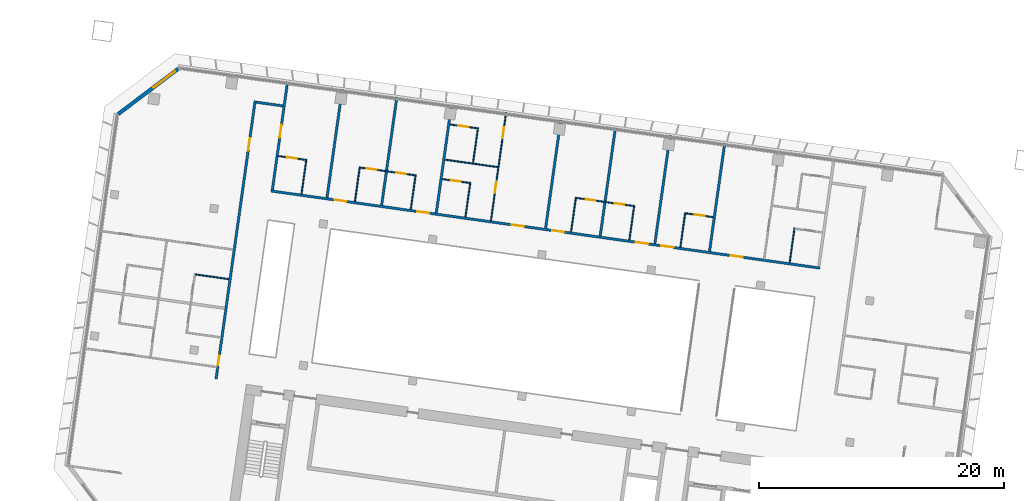
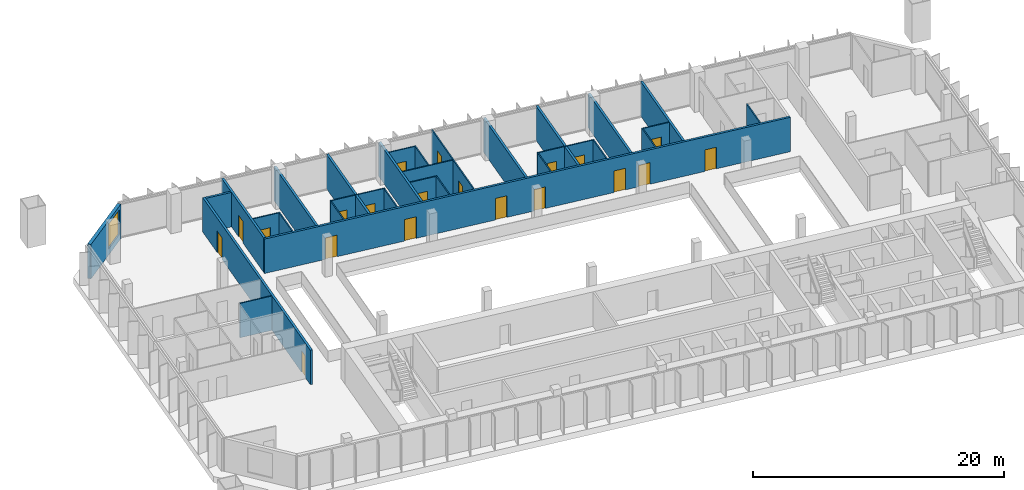
# One storey, part 16 of 25: 30 walls, 20 doors, 1 window, 21 openings.
"""IFC4 building model written with IfcOpenShell, lengths in metres."""

from ifc_helpers import new_model, si_unit, direction, frame, frame_2d, origin, place, context, subcontext, project, spatial, rectangle, extrude, material, layer, layer_set, type_object, element, fill, save


model = new_model("IFC4")

# Units and contexts
model_context = context("Model", 3, precision=1e-05, world=origin(), true_north=direction((0.0, 1.0)))
body_context = subcontext(model_context, "Body", "Model", "MODEL_VIEW")
ifc_project = project(units=[si_unit("LENGTHUNIT", "METRE"), si_unit("AREAUNIT", "SQUARE_METRE"), si_unit("VOLUMEUNIT", "CUBIC_METRE"), si_unit("PLANEANGLEUNIT", "RADIAN"), si_unit("MASSUNIT", "GRAM", prefix="KILO")], contexts=[model_context])

# Site, building, storey
site_placement = place(None, origin())
site = spatial("IfcSite", under=ifc_project, at=site_placement, CompositionType="ELEMENT")
building_placement = place(site_placement, origin())
building = spatial("IfcBuilding", under=site, at=building_placement, Name="Mirante Cascada Hotel Towers", CompositionType="ELEMENT")
storey_placement = place(building_placement, frame((0.0, 0.0, 102.5)))
storey = spatial("IfcBuildingStorey", under=building, at=storey_placement, Name="L22", CompositionType="ELEMENT", Elevation=102.5)

# Wall, openings, doors
ifc_material_1 = material(Name="Fire-rated plasterboard on metal studs")
ifc_layer_1 = layer(ifc_material_1, 0.2)
ifc_layer_set_1 = layer_set([ifc_layer_1], Name="Compartment wall 200 EI 120")
wall_type_1 = type_object("IfcWallType", Name="Compartment wall 200 EI 120", PredefinedType="PARTITIONING", material=ifc_layer_set_1)
wall_1_placement = place(storey_placement, frame((-86.638, 16.0582, 0.0), z_axis=(0.0, 0.0, 1.0), x_axis=(0.9902681, -0.1391726, 0.0)))
wall_1 = element("IfcWall", 1, at=wall_1_placement, inside=storey, type_object=wall_type_1, Name="Wall 1-L22-18", PredefinedType="PARTITIONING", context=body_context, shape_type="SweptSolid", body=[
    extrude(rectangle(XDim=45.2, YDim=0.2, at=frame_2d((22.6, 0.0))), origin(), (0.0, 0.0, 1.0), 3.35),
])
opening_1_placement = place(wall_1_placement, frame((37.85, 0.0, 0.0)))
opening_1 = element("IfcOpeningElement", 2, at=opening_1_placement, cuts=wall_1, Name="Opening D1-L22-09", PredefinedType="OPENING", context=body_context, shape_type="SweptSolid", body=[
    extrude(rectangle(XDim=1.0, YDim=2.1, at=frame_2d((0.5, 1.05))), frame((0.0, 0.1, 0.0), z_axis=(0.0, -1.0, 0.0), x_axis=(1.0, 0.0, 0.0)), (0.0, 0.0, 1.0), 0.2),
])
opening_2_placement = place(wall_1_placement, frame((32.15, 0.0, 0.0)))
opening_2 = element("IfcOpeningElement", 3, at=opening_2_placement, cuts=wall_1, Name="Opening D1-L22-10", PredefinedType="OPENING", context=body_context, shape_type="SweptSolid", body=[
    extrude(rectangle(XDim=1.0, YDim=2.1, at=frame_2d((0.5, 1.05))), frame((0.0, 0.1, 0.0), z_axis=(0.0, -1.0, 0.0), x_axis=(1.0, 0.0, 0.0)), (0.0, 0.0, 1.0), 0.2),
])
opening_3_placement = place(wall_1_placement, frame((30.05, 0.0, 0.0)))
opening_3 = element("IfcOpeningElement", 4, at=opening_3_placement, cuts=wall_1, Name="Opening D1-L22-11", PredefinedType="OPENING", context=body_context, shape_type="SweptSolid", body=[
    extrude(rectangle(XDim=1.0, YDim=2.1, at=frame_2d((0.5, 1.05))), frame((0.0, 0.1, 0.0), z_axis=(0.0, -1.0, 0.0), x_axis=(1.0, 0.0, 0.0)), (0.0, 0.0, 1.0), 0.2),
])
opening_4_placement = place(wall_1_placement, frame((23.15, 0.0, 0.0)))
opening_4 = element("IfcOpeningElement", 5, at=opening_4_placement, cuts=wall_1, Name="Opening D1-L22-12", PredefinedType="OPENING", context=body_context, shape_type="SweptSolid", body=[
    extrude(rectangle(XDim=1.0, YDim=2.1, at=frame_2d((0.5, 1.05))), frame((0.0, 0.1, 0.0), z_axis=(0.0, -1.0, 0.0), x_axis=(1.0, 0.0, 0.0)), (0.0, 0.0, 1.0), 0.2),
])
opening_5_placement = place(wall_1_placement, frame((19.85, 0.0, 0.0)))
opening_5 = element("IfcOpeningElement", 6, at=opening_5_placement, cuts=wall_1, Name="Opening D1-L22-13", PredefinedType="OPENING", context=body_context, shape_type="SweptSolid", body=[
    extrude(rectangle(XDim=1.0, YDim=2.1, at=frame_2d((0.5, 1.05))), frame((0.0, 0.1, 0.0), z_axis=(0.0, -1.0, 0.0), x_axis=(1.0, 0.0, 0.0)), (0.0, 0.0, 1.0), 0.2),
])
opening_6_placement = place(wall_1_placement, frame((12.05, 0.0, 0.0)))
opening_6 = element("IfcOpeningElement", 7, at=opening_6_placement, cuts=wall_1, Name="Opening D1-L22-14", PredefinedType="OPENING", context=body_context, shape_type="SweptSolid", body=[
    extrude(rectangle(XDim=1.0, YDim=2.1, at=frame_2d((0.5, 1.05))), frame((0.0, 0.1, 0.0), z_axis=(0.0, -1.0, 0.0), x_axis=(1.0, 0.0, 0.0)), (0.0, 0.0, 1.0), 0.2),
])
opening_7_placement = place(wall_1_placement, frame((5.25, 0.0, 0.0)))
opening_7 = element("IfcOpeningElement", 8, at=opening_7_placement, cuts=wall_1, Name="Opening D1-L22-15", PredefinedType="OPENING", context=body_context, shape_type="SweptSolid", body=[
    extrude(rectangle(XDim=1.0, YDim=2.1, at=frame_2d((0.5, 1.05))), frame((0.0, 0.1, 0.0), z_axis=(0.0, -1.0, 0.0), x_axis=(1.0, 0.0, 0.0)), (0.0, 0.0, 1.0), 0.2),
])
ifc_material_2 = material(Name="Fire-rated timber door leaf", Category="wood")
door_type_1 = type_object("IfcDoorType", Name="Entrance door DG1 1000x2100 EI 60", OperationType="SINGLE_SWING_LEFT", PredefinedType="DOOR", material=ifc_material_2)
door_1_placement = place(opening_1_placement, origin())
door_1 = element("IfcDoor", 9, at=door_1_placement, inside=storey, type_object=door_type_1, Name="Door D1-L22-09", OperationType="SINGLE_SWING_LEFT", OverallHeight=2.1, OverallWidth=1.0, PredefinedType="DOOR", context=body_context, shape_type="SweptSolid", body=[
    extrude(rectangle(XDim=1.0, YDim=2.1, at=frame_2d((0.5, 1.05))), frame((0.0, 0.025, 0.0), z_axis=(0.0, -1.0, 0.0), x_axis=(1.0, 0.0, 0.0)), (0.0, 0.0, 1.0), 0.05),
])
fill(opening_1, door_1)
door_2_placement = place(opening_2_placement, origin())
door_2 = element("IfcDoor", 10, at=door_2_placement, inside=storey, type_object=door_type_1, Name="Door D1-L22-10", OperationType="SINGLE_SWING_LEFT", OverallHeight=2.1, OverallWidth=1.0, PredefinedType="DOOR", context=body_context, shape_type="SweptSolid", body=[
    extrude(rectangle(XDim=1.0, YDim=2.1, at=frame_2d((0.5, 1.05))), frame((0.0, 0.025, 0.0), z_axis=(0.0, -1.0, 0.0), x_axis=(1.0, 0.0, 0.0)), (0.0, 0.0, 1.0), 0.05),
])
fill(opening_2, door_2)
door_3_placement = place(opening_3_placement, origin())
door_3 = element("IfcDoor", 11, at=door_3_placement, inside=storey, type_object=door_type_1, Name="Door D1-L22-11", OperationType="SINGLE_SWING_LEFT", OverallHeight=2.1, OverallWidth=1.0, PredefinedType="DOOR", context=body_context, shape_type="SweptSolid", body=[
    extrude(rectangle(XDim=1.0, YDim=2.1, at=frame_2d((0.5, 1.05))), frame((0.0, 0.025, 0.0), z_axis=(0.0, -1.0, 0.0), x_axis=(1.0, 0.0, 0.0)), (0.0, 0.0, 1.0), 0.05),
])
fill(opening_3, door_3)
door_4_placement = place(opening_4_placement, origin())
door_4 = element("IfcDoor", 12, at=door_4_placement, inside=storey, type_object=door_type_1, Name="Door D1-L22-12", OperationType="SINGLE_SWING_LEFT", OverallHeight=2.1, OverallWidth=1.0, PredefinedType="DOOR", context=body_context, shape_type="SweptSolid", body=[
    extrude(rectangle(XDim=1.0, YDim=2.1, at=frame_2d((0.5, 1.05))), frame((0.0, 0.025, 0.0), z_axis=(0.0, -1.0, 0.0), x_axis=(1.0, 0.0, 0.0)), (0.0, 0.0, 1.0), 0.05),
])
fill(opening_4, door_4)
door_5_placement = place(opening_5_placement, origin())
door_5 = element("IfcDoor", 13, at=door_5_placement, inside=storey, type_object=door_type_1, Name="Door D1-L22-13", OperationType="SINGLE_SWING_LEFT", OverallHeight=2.1, OverallWidth=1.0, PredefinedType="DOOR", context=body_context, shape_type="SweptSolid", body=[
    extrude(rectangle(XDim=1.0, YDim=2.1, at=frame_2d((0.5, 1.05))), frame((0.0, 0.025, 0.0), z_axis=(0.0, -1.0, 0.0), x_axis=(1.0, 0.0, 0.0)), (0.0, 0.0, 1.0), 0.05),
])
fill(opening_5, door_5)
door_6_placement = place(opening_6_placement, origin())
door_6 = element("IfcDoor", 14, at=door_6_placement, inside=storey, type_object=door_type_1, Name="Door D1-L22-14", OperationType="SINGLE_SWING_LEFT", OverallHeight=2.1, OverallWidth=1.0, PredefinedType="DOOR", context=body_context, shape_type="SweptSolid", body=[
    extrude(rectangle(XDim=1.0, YDim=2.1, at=frame_2d((0.5, 1.05))), frame((0.0, 0.025, 0.0), z_axis=(0.0, -1.0, 0.0), x_axis=(1.0, 0.0, 0.0)), (0.0, 0.0, 1.0), 0.05),
])
fill(opening_6, door_6)
door_7_placement = place(opening_7_placement, origin())
door_7 = element("IfcDoor", 15, at=door_7_placement, inside=storey, type_object=door_type_1, Name="Door D1-L22-15", OperationType="SINGLE_SWING_LEFT", OverallHeight=2.1, OverallWidth=1.0, PredefinedType="DOOR", context=body_context, shape_type="SweptSolid", body=[
    extrude(rectangle(XDim=1.0, YDim=2.1, at=frame_2d((0.5, 1.05))), frame((0.0, 0.025, 0.0), z_axis=(0.0, -1.0, 0.0), x_axis=(1.0, 0.0, 0.0)), (0.0, 0.0, 1.0), 0.05),
])
fill(opening_7, door_7)

# Walls
wall_2_placement = place(storey_placement, frame((-85.6638, 22.9901, 0.0), z_axis=(0.0, 0.0, 1.0), x_axis=(-0.990267, 0.139181, 0.0)))
element("IfcWall", 16, at=wall_2_placement, inside=storey, type_object=wall_type_1, Name="Wall 1-L22-29", PredefinedType="PARTITIONING", context=body_context, shape_type="SweptSolid", body=[
    extrude(rectangle(XDim=2.2, YDim=0.2, at=frame_2d((1.1, 0.0))), origin(), (0.0, 0.0, 1.0), 3.35),
])
for number, where, z_axis, x_axis, name in (
    (17, (-50.8754, 11.1331, 0.0), (0.0, 0.0, 1.0), (0.1391794, 0.9902672, 0.0), "Wall 1-L22-43"),
    (18, (-55.3316, 11.7594, 0.0), (0.0, 0.0, 1.0), (0.1391794, 0.9902672, 0.0), "Wall 1-L22-45"),
):
    element("IfcWall", number, at=place(storey_placement, frame(where, z_axis=z_axis, x_axis=x_axis)), inside=storey, type_object=wall_type_1, Name=name, PredefinedType="PARTITIONING", context=body_context, shape_type="SweptSolid", body=[
        extrude(rectangle(XDim=8.9, YDim=0.2, at=frame_2d((4.45, 0.0))), origin(), (0.0, 0.0, 1.0), 3.35),
    ])
wall_3_placement = place(storey_placement, frame((-59.7878, 12.3857, 0.0), z_axis=(0.0, 0.0, 1.0), x_axis=(0.13917, 0.9902685, 0.0)))
element("IfcWall", 19, at=wall_3_placement, inside=storey, type_object=wall_type_1, Name="Wall 1-L22-47", PredefinedType="PARTITIONING", context=body_context, shape_type="SweptSolid", body=[
    extrude(rectangle(XDim=8.8999, YDim=0.2, at=frame_2d((4.45, 0.0))), origin(), (0.0, 0.0, 1.0), 3.35),
])
for number, where, z_axis, x_axis, name in (
    (20, (-64.244, 13.0119, 0.0), (0.0, 0.0, 1.0), (0.1391684, 0.9902687, 0.0), "Wall 1-L22-49"),
    (21, (-73.1564, 14.2645, 0.0), (0.0, 0.0, 1.0), (0.1391684, 0.9902687, 0.0), "Wall 1-L22-53"),
    (22, (-77.6126, 14.8908, 0.0), (0.0, 0.0, 1.0), (0.1391684, 0.9902687, 0.0), "Wall 1-L22-55"),
):
    element("IfcWall", number, at=place(storey_placement, frame(where, z_axis=z_axis, x_axis=x_axis)), inside=storey, type_object=wall_type_1, Name=name, PredefinedType="PARTITIONING", context=body_context, shape_type="SweptSolid", body=[
        extrude(rectangle(XDim=8.9, YDim=0.2, at=frame_2d((4.45, 0.0))), origin(), (0.0, 0.0, 1.0), 3.35),
    ])
wall_4_placement = place(storey_placement, frame((-82.0688, 15.5171, 0.0), z_axis=(0.0, 0.0, 1.0), x_axis=(0.13917, 0.9902685, 0.0)))
element("IfcWall", 23, at=wall_4_placement, inside=storey, type_object=wall_type_1, Name="Wall 1-L22-57", PredefinedType="PARTITIONING", context=body_context, shape_type="SweptSolid", body=[
    extrude(rectangle(XDim=8.8999, YDim=0.2, at=frame_2d((4.45, 0.0))), origin(), (0.0, 0.0, 1.0), 3.35),
])

# Wall, opening, door
wall_5_placement = place(storey_placement, frame((-86.525, 16.1433, 0.0), z_axis=(0.0, 0.0, 1.0), x_axis=(0.1391684, 0.9902687, 0.0)))
wall_5 = element("IfcWall", 24, at=wall_5_placement, inside=storey, type_object=wall_type_1, Name="Wall 1-L22-59", PredefinedType="PARTITIONING", context=body_context, shape_type="SweptSolid", body=[
    extrude(rectangle(XDim=8.9, YDim=0.2, at=frame_2d((4.45, 0.0))), origin(), (0.0, 0.0, 1.0), 3.35),
])
opening_8_placement = place(wall_5_placement, frame((4.35, 0.0, 0.0)))
opening_8 = element("IfcOpeningElement", 25, at=opening_8_placement, cuts=wall_5, Name="Opening D1-L22-36", PredefinedType="OPENING", context=body_context, shape_type="SweptSolid", body=[
    extrude(rectangle(XDim=1.0, YDim=2.1, at=frame_2d((0.5, 1.05))), frame((0.0, 0.1, 0.0), z_axis=(0.0, -1.0, 0.0), x_axis=(1.0, 0.0, 0.0)), (0.0, 0.0, 1.0), 0.2),
])
door_8_placement = place(opening_8_placement, frame((1.0, 0.0, 0.0), z_axis=(0.0, 0.0, 1.0), x_axis=(-1.0, 0.0, 0.0)))
door_8 = element("IfcDoor", 26, at=door_8_placement, inside=storey, type_object=door_type_1, Name="Door D1-L22-36", OperationType="SINGLE_SWING_RIGHT", OverallHeight=2.1, OverallWidth=1.0, PredefinedType="DOOR", context=body_context, shape_type="SweptSolid", body=[
    extrude(rectangle(XDim=1.0, YDim=2.1, at=frame_2d((0.5, 1.05))), frame((0.0, 0.025, 0.0), z_axis=(0.0, -1.0, 0.0), x_axis=(1.0, 0.0, 0.0)), (0.0, 0.0, 1.0), 0.05),
])
fill(opening_8, door_8)

# Wall, openings, doors
wall_6_placement = place(storey_placement, frame((-87.9275, 23.4092, 0.0), z_axis=(0.0, 0.0, 1.0), x_axis=(-0.1391706, -0.9902684, 0.0)))
wall_6 = element("IfcWall", 27, at=wall_6_placement, inside=storey, type_object=wall_type_1, Name="Wall 1-L22-60", PredefinedType="PARTITIONING", context=body_context, shape_type="SweptSolid", body=[
    extrude(rectangle(XDim=22.9, YDim=0.2, at=frame_2d((11.45, 0.0))), origin(), (0.0, 0.0, 1.0), 3.35),
])
opening_9_placement = place(wall_6_placement, frame((20.9833, 0.0, 0.0)))
opening_9 = element("IfcOpeningElement", 28, at=opening_9_placement, cuts=wall_6, Name="Opening D1-L22-37", PredefinedType="OPENING", context=body_context, shape_type="SweptSolid", body=[
    extrude(rectangle(XDim=0.8, YDim=2.1, at=frame_2d((0.4, 1.05))), frame((0.0, 0.1, 0.0), z_axis=(0.0, -1.0, 0.0), x_axis=(1.0, 0.0, 0.0)), (0.0, 0.0, 1.0), 0.2),
])
opening_10_placement = place(wall_6_placement, frame((3.1, 0.0, 0.0)))
opening_10 = element("IfcOpeningElement", 29, at=opening_10_placement, cuts=wall_6, Name="Opening D1-L22-38", PredefinedType="OPENING", context=body_context, shape_type="SweptSolid", body=[
    extrude(rectangle(XDim=1.0, YDim=2.1, at=frame_2d((0.5, 1.05))), frame((0.0, 0.1, 0.0), z_axis=(0.0, -1.0, 0.0), x_axis=(1.0, 0.0, 0.0)), (0.0, 0.0, 1.0), 0.2),
])
ifc_material_3 = material(Name="Fire-rated timber door leaf", Category="wood")
door_type_2 = type_object("IfcDoorType", Name="Bathroom door DG4 800x2100 EI 60", OperationType="SINGLE_SWING_LEFT", PredefinedType="DOOR", material=ifc_material_3)
door_9_placement = place(opening_9_placement, frame((0.8, 0.0, 0.0), z_axis=(0.0, 0.0, 1.0), x_axis=(-1.0, 0.0, 0.0)))
door_9 = element("IfcDoor", 30, at=door_9_placement, inside=storey, type_object=door_type_2, Name="Door D1-L22-37", OperationType="SINGLE_SWING_RIGHT", OverallHeight=2.1, OverallWidth=0.8, PredefinedType="DOOR", context=body_context, shape_type="SweptSolid", body=[
    extrude(rectangle(XDim=0.8, YDim=2.1, at=frame_2d((0.4, 1.05))), frame((0.0, 0.025, 0.0), z_axis=(0.0, -1.0, 0.0), x_axis=(1.0, 0.0, 0.0)), (0.0, 0.0, 1.0), 0.05),
])
fill(opening_9, door_9)
door_10_placement = place(opening_10_placement, frame((1.0, 0.0, 0.0), z_axis=(0.0, 0.0, 1.0), x_axis=(-1.0, 0.0, 0.0)))
door_10 = element("IfcDoor", 31, at=door_10_placement, inside=storey, type_object=door_type_1, Name="Door D1-L22-38", OperationType="SINGLE_SWING_RIGHT", OverallHeight=2.1, OverallWidth=1.0, PredefinedType="DOOR", context=body_context, shape_type="SweptSolid", body=[
    extrude(rectangle(XDim=1.0, YDim=2.1, at=frame_2d((0.5, 1.05))), frame((0.0, 0.025, 0.0), z_axis=(0.0, -1.0, 0.0), x_axis=(1.0, 0.0, 0.0)), (0.0, 0.0, 1.0), 0.05),
])
fill(opening_10, door_10)

# Wall
ifc_material_4 = material(Name="Plasterboard on metal studs")
ifc_layer_2 = layer(ifc_material_4, 0.1)
ifc_layer_set_2 = layer_set([ifc_layer_2], Name="Partition 100")
wall_type_2 = type_object("IfcWallType", Name="Partition 100", PredefinedType="PARTITIONING", material=ifc_layer_set_2)
wall_7_placement = place(storey_placement, frame((-92.7956, 9.2489, 0.0), z_axis=(0.0, 0.0, 1.0), x_axis=(0.9902698, -0.1391607, 0.0)))
element("IfcWall", 32, at=wall_7_placement, inside=storey, type_object=wall_type_2, Name="Wall 1-L22-14", PredefinedType="PARTITIONING", context=body_context, shape_type="SweptSolid", body=[
    extrude(rectangle(XDim=2.7501, YDim=0.1, at=frame_2d((1.3751, 0.0))), origin(), (0.0, 0.0, 1.0), 3.35),
])

# Wall, opening, door
wall_8_placement = place(storey_placement, frame((-52.8128, 14.2329, 0.0), z_axis=(0.0, 0.0, 1.0), x_axis=(0.9902705, -0.1391561, 0.0)))
wall_8 = element("IfcWall", 33, at=wall_8_placement, inside=storey, type_object=wall_type_2, Name="Wall 1-L22-20", PredefinedType="PARTITIONING", context=body_context, shape_type="SweptSolid", body=[
    extrude(rectangle(XDim=2.25, YDim=0.1, at=frame_2d((1.125, 0.0))), origin(), (0.0, 0.0, 1.0), 3.35),
])
opening_11_placement = place(wall_8_placement, frame((0.75, 0.0, 0.0)))
opening_11 = element("IfcOpeningElement", 34, at=opening_11_placement, cuts=wall_8, Name="Opening D1-L22-17", PredefinedType="OPENING", context=body_context, shape_type="SweptSolid", body=[
    extrude(rectangle(XDim=0.8, YDim=2.1, at=frame_2d((0.4, 1.05))), frame((0.0, 0.05, 0.0), z_axis=(0.0, -1.0, 0.0), x_axis=(1.0, 0.0, 0.0)), (0.0, 0.0, 1.0), 0.1),
])
ifc_material_5 = material(Name="Timber door leaf", Category="wood")
door_type_3 = type_object("IfcDoorType", Name="Bathroom door DG4 800x2100", OperationType="SINGLE_SWING_LEFT", PredefinedType="DOOR", material=ifc_material_5)
door_11_placement = place(opening_11_placement, origin())
door_11 = element("IfcDoor", 35, at=door_11_placement, inside=storey, type_object=door_type_3, Name="Door D1-L22-17", OperationType="SINGLE_SWING_LEFT", OverallHeight=2.1, OverallWidth=0.8, PredefinedType="DOOR", context=body_context, shape_type="SweptSolid", body=[
    extrude(rectangle(XDim=0.8, YDim=2.1, at=frame_2d((0.4, 1.05))), frame((0.0, 0.025, 0.0), z_axis=(0.0, -1.0, 0.0), x_axis=(1.0, 0.0, 0.0)), (0.0, 0.0, 1.0), 0.05),
])
fill(opening_11, door_11)

# Wall, openings, doors
wall_9_placement = place(storey_placement, frame((-56.972, 14.8174, 0.0), z_axis=(0.0, 0.0, 1.0), x_axis=(-0.9902666, 0.1391838, 0.0)))
wall_9 = element("IfcWall", 36, at=wall_9_placement, inside=storey, type_object=wall_type_2, Name="Wall 1-L22-21", PredefinedType="PARTITIONING", context=body_context, shape_type="SweptSolid", body=[
    extrude(rectangle(XDim=4.9, YDim=0.1, at=frame_2d((2.45, 0.0))), origin(), (0.0, 0.0, 1.0), 3.35),
])
opening_12_placement = place(wall_9_placement, frame((0.85, 0.0, 0.0)))
opening_12 = element("IfcOpeningElement", 37, at=opening_12_placement, cuts=wall_9, Name="Opening D1-L22-18", PredefinedType="OPENING", context=body_context, shape_type="SweptSolid", body=[
    extrude(rectangle(XDim=0.8, YDim=2.1, at=frame_2d((0.4, 1.05))), frame((0.0, 0.05, 0.0), z_axis=(0.0, -1.0, 0.0), x_axis=(1.0, 0.0, 0.0)), (0.0, 0.0, 1.0), 0.1),
])
opening_13_placement = place(wall_9_placement, frame((3.25, 0.0, 0.0)))
opening_13 = element("IfcOpeningElement", 38, at=opening_13_placement, cuts=wall_9, Name="Opening D1-L22-19", PredefinedType="OPENING", context=body_context, shape_type="SweptSolid", body=[
    extrude(rectangle(XDim=0.8, YDim=2.1, at=frame_2d((0.4, 1.05))), frame((0.0, 0.05, 0.0), z_axis=(0.0, -1.0, 0.0), x_axis=(1.0, 0.0, 0.0)), (0.0, 0.0, 1.0), 0.1),
])
door_12_placement = place(opening_12_placement, frame((0.8, 0.0, 0.0), z_axis=(0.0, 0.0, 1.0), x_axis=(-1.0, 0.0, 0.0)))
door_12 = element("IfcDoor", 39, at=door_12_placement, inside=storey, type_object=door_type_3, Name="Door D1-L22-18", OperationType="SINGLE_SWING_RIGHT", OverallHeight=2.1, OverallWidth=0.8, PredefinedType="DOOR", context=body_context, shape_type="SweptSolid", body=[
    extrude(rectangle(XDim=0.8, YDim=2.1, at=frame_2d((0.4, 1.05))), frame((0.0, 0.025, 0.0), z_axis=(0.0, -1.0, 0.0), x_axis=(1.0, 0.0, 0.0)), (0.0, 0.0, 1.0), 0.05),
])
fill(opening_12, door_12)
door_13_placement = place(opening_13_placement, frame((0.8, 0.0, 0.0), z_axis=(0.0, 0.0, 1.0), x_axis=(-1.0, 0.0, 0.0)))
door_13 = element("IfcDoor", 40, at=door_13_placement, inside=storey, type_object=door_type_3, Name="Door D1-L22-19", OperationType="SINGLE_SWING_RIGHT", OverallHeight=2.1, OverallWidth=0.8, PredefinedType="DOOR", context=body_context, shape_type="SweptSolid", body=[
    extrude(rectangle(XDim=0.8, YDim=2.1, at=frame_2d((0.4, 1.05))), frame((0.0, 0.025, 0.0), z_axis=(0.0, -1.0, 0.0), x_axis=(1.0, 0.0, 0.0)), (0.0, 0.0, 1.0), 0.05),
])
fill(opening_13, door_13)

# Wall, opening, door
wall_10_placement = place(storey_placement, frame((-72.6677, 17.0233, 0.0), z_axis=(0.0, 0.0, 1.0), x_axis=(0.9902705, -0.1391561, 0.0)))
wall_10 = element("IfcWall", 41, at=wall_10_placement, inside=storey, type_object=wall_type_2, Name="Wall 1-L22-22", PredefinedType="PARTITIONING", context=body_context, shape_type="SweptSolid", body=[
    extrude(rectangle(XDim=2.25, YDim=0.1, at=frame_2d((1.125, 0.0))), origin(), (0.0, 0.0, 1.0), 3.35),
])
opening_14_placement = place(wall_10_placement, frame((0.7, 0.0, 0.0)))
opening_14 = element("IfcOpeningElement", 42, at=opening_14_placement, cuts=wall_10, Name="Opening D1-L22-20", PredefinedType="OPENING", context=body_context, shape_type="SweptSolid", body=[
    extrude(rectangle(XDim=0.8, YDim=2.1, at=frame_2d((0.4, 1.05))), frame((0.0, 0.05, 0.0), z_axis=(0.0, -1.0, 0.0), x_axis=(1.0, 0.0, 0.0)), (0.0, 0.0, 1.0), 0.1),
])
door_14_placement = place(opening_14_placement, frame((0.8, 0.0, 0.0), z_axis=(0.0, 0.0, 1.0), x_axis=(-1.0, 0.0, 0.0)))
door_14 = element("IfcDoor", 43, at=door_14_placement, inside=storey, type_object=door_type_3, Name="Door D1-L22-20", OperationType="SINGLE_SWING_RIGHT", OverallHeight=2.1, OverallWidth=0.8, PredefinedType="DOOR", context=body_context, shape_type="SweptSolid", body=[
    extrude(rectangle(XDim=0.8, YDim=2.1, at=frame_2d((0.4, 1.05))), frame((0.0, 0.025, 0.0), z_axis=(0.0, -1.0, 0.0), x_axis=(1.0, 0.0, 0.0)), (0.0, 0.0, 1.0), 0.05),
])
fill(opening_14, door_14)

# Wall, openings, doors
wall_11_placement = place(storey_placement, frame((-74.7968, 17.3226, 0.0), z_axis=(0.0, 0.0, 1.0), x_axis=(-0.9902682, 0.139172, 0.0)))
wall_11 = element("IfcWall", 44, at=wall_11_placement, inside=storey, type_object=wall_type_2, Name="Wall 1-L22-23", PredefinedType="PARTITIONING", context=body_context, shape_type="SweptSolid", body=[
    extrude(rectangle(XDim=4.6999, YDim=0.1, at=frame_2d((2.35, 0.0))), origin(), (0.0, 0.0, 1.0), 3.35),
])
opening_15_placement = place(wall_11_placement, frame((0.85, 0.0, 0.0)))
opening_15 = element("IfcOpeningElement", 45, at=opening_15_placement, cuts=wall_11, Name="Opening D1-L22-21", PredefinedType="OPENING", context=body_context, shape_type="SweptSolid", body=[
    extrude(rectangle(XDim=0.8, YDim=2.1, at=frame_2d((0.4, 1.05))), frame((0.0, 0.05, 0.0), z_axis=(0.0, -1.0, 0.0), x_axis=(1.0, 0.0, 0.0)), (0.0, 0.0, 1.0), 0.1),
])
opening_16_placement = place(wall_11_placement, frame((3.25, 0.0, 0.0)))
opening_16 = element("IfcOpeningElement", 46, at=opening_16_placement, cuts=wall_11, Name="Opening D1-L22-22", PredefinedType="OPENING", context=body_context, shape_type="SweptSolid", body=[
    extrude(rectangle(XDim=0.8, YDim=2.1, at=frame_2d((0.4, 1.05))), frame((0.0, 0.05, 0.0), z_axis=(0.0, -1.0, 0.0), x_axis=(1.0, 0.0, 0.0)), (0.0, 0.0, 1.0), 0.1),
])
door_15_placement = place(opening_15_placement, frame((0.8, 0.0, 0.0), z_axis=(0.0, 0.0, 1.0), x_axis=(-1.0, 0.0, 0.0)))
door_15 = element("IfcDoor", 47, at=door_15_placement, inside=storey, type_object=door_type_3, Name="Door D1-L22-21", OperationType="SINGLE_SWING_RIGHT", OverallHeight=2.1, OverallWidth=0.8, PredefinedType="DOOR", context=body_context, shape_type="SweptSolid", body=[
    extrude(rectangle(XDim=0.8, YDim=2.1, at=frame_2d((0.4, 1.05))), frame((0.0, 0.025, 0.0), z_axis=(0.0, -1.0, 0.0), x_axis=(1.0, 0.0, 0.0)), (0.0, 0.0, 1.0), 0.05),
])
fill(opening_15, door_15)
door_16_placement = place(opening_16_placement, frame((0.8, 0.0, 0.0), z_axis=(0.0, 0.0, 1.0), x_axis=(-1.0, 0.0, 0.0)))
door_16 = element("IfcDoor", 48, at=door_16_placement, inside=storey, type_object=door_type_3, Name="Door D1-L22-22", OperationType="SINGLE_SWING_RIGHT", OverallHeight=2.1, OverallWidth=0.8, PredefinedType="DOOR", context=body_context, shape_type="SweptSolid", body=[
    extrude(rectangle(XDim=0.8, YDim=2.1, at=frame_2d((0.4, 1.05))), frame((0.0, 0.025, 0.0), z_axis=(0.0, -1.0, 0.0), x_axis=(1.0, 0.0, 0.0)), (0.0, 0.0, 1.0), 0.05),
])
fill(opening_16, door_16)

# Wall, opening, door
wall_12_placement = place(storey_placement, frame((-86.0363, 18.9022, 0.0), z_axis=(0.0, 0.0, 1.0), x_axis=(0.9902643, -0.1391997, 0.0)))
wall_12 = element("IfcWall", 49, at=wall_12_placement, inside=storey, type_object=wall_type_2, Name="Wall 1-L22-24", PredefinedType="PARTITIONING", context=body_context, shape_type="SweptSolid", body=[
    extrude(rectangle(XDim=2.25, YDim=0.1, at=frame_2d((1.125, 0.0))), origin(), (0.0, 0.0, 1.0), 3.35),
])
opening_17_placement = place(wall_12_placement, frame((0.7, 0.0, 0.0)))
opening_17 = element("IfcOpeningElement", 50, at=opening_17_placement, cuts=wall_12, Name="Opening D1-L22-23", PredefinedType="OPENING", context=body_context, shape_type="SweptSolid", body=[
    extrude(rectangle(XDim=0.8, YDim=2.1, at=frame_2d((0.4, 1.05))), frame((0.0, 0.05, 0.0), z_axis=(0.0, -1.0, 0.0), x_axis=(1.0, 0.0, 0.0)), (0.0, 0.0, 1.0), 0.1),
])
door_17_placement = place(opening_17_placement, origin())
door_17 = element("IfcDoor", 51, at=door_17_placement, inside=storey, type_object=door_type_3, Name="Door D1-L22-23", OperationType="SINGLE_SWING_LEFT", OverallHeight=2.1, OverallWidth=0.8, PredefinedType="DOOR", context=body_context, shape_type="SweptSolid", body=[
    extrude(rectangle(XDim=0.8, YDim=2.1, at=frame_2d((0.4, 1.05))), frame((0.0, 0.025, 0.0), z_axis=(0.0, -1.0, 0.0), x_axis=(1.0, 0.0, 0.0)), (0.0, 0.0, 1.0), 0.05),
])
fill(opening_17, door_17)

# Wall
wall_13_placement = place(storey_placement, frame((-68.1374, 18.0024, 0.0), z_axis=(0.0, 0.0, 1.0), x_axis=(-0.9902679, 0.1391745, 0.0)))
element("IfcWall", 52, at=wall_13_placement, inside=storey, type_object=wall_type_2, Name="Wall 1-L22-27", PredefinedType="PARTITIONING", context=body_context, shape_type="SweptSolid", body=[
    extrude(rectangle(XDim=4.3499, YDim=0.1, at=frame_2d((2.175, 0.0))), origin(), (0.0, 0.0, 1.0), 3.35),
])

# Wall, opening, door
wall_14_placement = place(storey_placement, frame((-69.8133, 21.1664, 0.0), z_axis=(0.0, 0.0, 1.0), x_axis=(-0.9902705, 0.1391561, 0.0)))
wall_14 = element("IfcWall", 53, at=wall_14_placement, inside=storey, type_object=wall_type_2, Name="Wall 1-L22-31", PredefinedType="PARTITIONING", context=body_context, shape_type="SweptSolid", body=[
    extrude(rectangle(XDim=2.25, YDim=0.1, at=frame_2d((1.125, 0.0))), origin(), (0.0, 0.0, 1.0), 3.35),
])
opening_18_placement = place(wall_14_placement, frame((0.75, 0.0, 0.0)))
opening_18 = element("IfcOpeningElement", 54, at=opening_18_placement, cuts=wall_14, Name="Opening D1-L22-25", PredefinedType="OPENING", context=body_context, shape_type="SweptSolid", body=[
    extrude(rectangle(XDim=0.8, YDim=2.1, at=frame_2d((0.4, 1.05))), frame((0.0, 0.05, 0.0), z_axis=(0.0, -1.0, 0.0), x_axis=(1.0, 0.0, 0.0)), (0.0, 0.0, 1.0), 0.1),
])
door_18_placement = place(opening_18_placement, origin())
door_18 = element("IfcDoor", 55, at=door_18_placement, inside=storey, type_object=door_type_3, Name="Door D1-L22-25", OperationType="SINGLE_SWING_LEFT", OverallHeight=2.1, OverallWidth=0.8, PredefinedType="DOOR", context=body_context, shape_type="SweptSolid", body=[
    extrude(rectangle(XDim=0.8, YDim=2.1, at=frame_2d((0.4, 1.05))), frame((0.0, 0.025, 0.0), z_axis=(0.0, -1.0, 0.0), x_axis=(1.0, 0.0, 0.0)), (0.0, 0.0, 1.0), 0.05),
])
fill(opening_18, door_18)

# Walls
wall_15_placement = place(storey_placement, frame((-43.943, 13.0368, 0.0), z_axis=(0.0, 0.0, 1.0), x_axis=(-0.1391613, -0.9902697, 0.0)))
element("IfcWall", 56, at=wall_15_placement, inside=storey, type_object=wall_type_2, Name="Wall 1-L22-40", PredefinedType="PARTITIONING", context=body_context, shape_type="SweptSolid", body=[
    extrude(rectangle(XDim=2.8499, YDim=0.1, at=frame_2d((1.425, 0.0))), origin(), (0.0, 0.0, 1.0), 3.35),
])
wall_16_placement = place(storey_placement, frame((-52.8554, 14.2894, 0.0), z_axis=(0.0, 0.0, 1.0), x_axis=(-0.1391564, -0.9902704, 0.0)))
element("IfcWall", 57, at=wall_16_placement, inside=storey, type_object=wall_type_2, Name="Wall 1-L22-44", PredefinedType="PARTITIONING", context=body_context, shape_type="SweptSolid", body=[
    extrude(rectangle(XDim=2.85, YDim=0.1, at=frame_2d((1.425, 0.0))), origin(), (0.0, 0.0, 1.0), 3.35),
])
wall_17_placement = place(storey_placement, frame((-57.0284, 14.7749, 0.0), z_axis=(0.0, 0.0, 1.0), x_axis=(-0.1391963, -0.9902648, 0.0)))
element("IfcWall", 58, at=wall_17_placement, inside=storey, type_object=wall_type_2, Name="Wall 1-L22-46", PredefinedType="PARTITIONING", context=body_context, shape_type="SweptSolid", body=[
    extrude(rectangle(XDim=2.7501, YDim=0.1, at=frame_2d((1.3751, 0.0))), origin(), (0.0, 0.0, 1.0), 3.35),
])
wall_18_placement = place(storey_placement, frame((-61.7817, 15.4429, 0.0), z_axis=(0.0, 0.0, 1.0), x_axis=(-0.1391657, -0.9902691, 0.0)))
element("IfcWall", 59, at=wall_18_placement, inside=storey, type_object=wall_type_2, Name="Wall 1-L22-48", PredefinedType="PARTITIONING", context=body_context, shape_type="SweptSolid", body=[
    extrude(rectangle(XDim=2.75, YDim=0.1, at=frame_2d((1.375, 0.0))), origin(), (0.0, 0.0, 1.0), 3.35),
])

# Wall, openings, doors
wall_19_placement = place(storey_placement, frame((-67.4616, 22.4516, 0.0), z_axis=(0.0, 0.0, 1.0), x_axis=(-0.1391684, -0.9902687, 0.0)))
wall_19 = element("IfcWall", 60, at=wall_19_placement, inside=storey, type_object=wall_type_2, Name="Wall 1-L22-50", PredefinedType="PARTITIONING", context=body_context, shape_type="SweptSolid", body=[
    extrude(rectangle(XDim=8.9, YDim=0.1, at=frame_2d((4.45, 0.0))), origin(), (0.0, 0.0, 1.0), 3.35),
])
opening_19_placement = place(wall_19_placement, frame((5.7, 0.0, 0.0)))
opening_19 = element("IfcOpeningElement", 61, at=opening_19_placement, cuts=wall_19, Name="Opening D1-L22-34", PredefinedType="OPENING", context=body_context, shape_type="SweptSolid", body=[
    extrude(rectangle(XDim=0.9, YDim=2.1, at=frame_2d((0.45, 1.05))), frame((0.0, 0.05, 0.0), z_axis=(0.0, -1.0, 0.0), x_axis=(1.0, 0.0, 0.0)), (0.0, 0.0, 1.0), 0.1),
])
opening_20_placement = place(wall_19_placement, frame((1.2, 0.0, 0.0)))
opening_20 = element("IfcOpeningElement", 62, at=opening_20_placement, cuts=wall_19, Name="Opening D1-L22-35", PredefinedType="OPENING", context=body_context, shape_type="SweptSolid", body=[
    extrude(rectangle(XDim=0.9, YDim=2.1, at=frame_2d((0.45, 1.05))), frame((0.0, 0.05, 0.0), z_axis=(0.0, -1.0, 0.0), x_axis=(1.0, 0.0, 0.0)), (0.0, 0.0, 1.0), 0.1),
])
ifc_material_6 = material(Name="Timber door leaf", Category="wood")
door_type_4 = type_object("IfcDoorType", Name="Room door DG3 900x2100", OperationType="SINGLE_SWING_LEFT", PredefinedType="DOOR", material=ifc_material_6)
door_19_placement = place(opening_19_placement, origin())
door_19 = element("IfcDoor", 63, at=door_19_placement, inside=storey, type_object=door_type_4, Name="Door D1-L22-34", OperationType="SINGLE_SWING_LEFT", OverallHeight=2.1, OverallWidth=0.9, PredefinedType="DOOR", context=body_context, shape_type="SweptSolid", body=[
    extrude(rectangle(XDim=0.9, YDim=2.1, at=frame_2d((0.45, 1.05))), frame((0.0, 0.025, 0.0), z_axis=(0.0, -1.0, 0.0), x_axis=(1.0, 0.0, 0.0)), (0.0, 0.0, 1.0), 0.05),
])
fill(opening_19, door_19)
door_20_placement = place(opening_20_placement, origin())
door_20 = element("IfcDoor", 64, at=door_20_placement, inside=storey, type_object=door_type_4, Name="Door D1-L22-35", OperationType="SINGLE_SWING_LEFT", OverallHeight=2.1, OverallWidth=0.9, PredefinedType="DOOR", context=body_context, shape_type="SweptSolid", body=[
    extrude(rectangle(XDim=0.9, YDim=2.1, at=frame_2d((0.45, 1.05))), frame((0.0, 0.025, 0.0), z_axis=(0.0, -1.0, 0.0), x_axis=(1.0, 0.0, 0.0)), (0.0, 0.0, 1.0), 0.05),
])
fill(opening_20, door_20)

# Walls
wall_20_placement = place(storey_placement, frame((-70.7798, 13.9305, 0.0), z_axis=(0.0, 0.0, 1.0), x_axis=(0.1391957, 0.9902649, 0.0)))
element("IfcWall", 65, at=wall_20_placement, inside=storey, type_object=wall_type_2, Name="Wall 1-L22-51", PredefinedType="PARTITIONING", context=body_context, shape_type="SweptSolid", body=[
    extrude(rectangle(XDim=2.8499, YDim=0.1, at=frame_2d((1.425, 0.0))), origin(), (0.0, 0.0, 1.0), 3.35),
])
wall_21_placement = place(storey_placement, frame((-69.7568, 21.209, 0.0), z_axis=(0.0, 0.0, 1.0), x_axis=(-0.1392052, -0.9902636, 0.0)))
element("IfcWall", 66, at=wall_21_placement, inside=storey, type_object=wall_type_2, Name="Wall 1-L22-52", PredefinedType="PARTITIONING", context=body_context, shape_type="SweptSolid", body=[
    extrude(rectangle(XDim=2.9, YDim=0.1, at=frame_2d((1.45, 0.0))), origin(), (0.0, 0.0, 1.0), 3.35),
])
for number, where, z_axis, x_axis, name in (
    (67, (-74.8533, 17.28, 0.0), (0.0, 0.0, 1.0), (-0.1391657, -0.9902691, 0.0), "Wall 1-L22-54"),
    (68, (-79.4085, 17.9202, 0.0), (0.0, 0.0, 1.0), (-0.1391657, -0.9902691, 0.0), "Wall 1-L22-56"),
):
    element("IfcWall", number, at=place(storey_placement, frame(where, z_axis=z_axis, x_axis=x_axis)), inside=storey, type_object=wall_type_2, Name=name, PredefinedType="PARTITIONING", context=body_context, shape_type="SweptSolid", body=[
        extrude(rectangle(XDim=2.75, YDim=0.1, at=frame_2d((1.375, 0.0))), origin(), (0.0, 0.0, 1.0), 3.35),
    ])
wall_22_placement = place(storey_placement, frame((-83.7517, 18.6316, 0.0), z_axis=(0.0, 0.0, 1.0), x_axis=(-0.1391909, -0.9902656, 0.0)))
element("IfcWall", 69, at=wall_22_placement, inside=storey, type_object=wall_type_2, Name="Wall 1-L22-58", PredefinedType="PARTITIONING", context=body_context, shape_type="SweptSolid", body=[
    extrude(rectangle(XDim=2.85, YDim=0.1, at=frame_2d((1.425, 0.0))), origin(), (0.0, 0.0, 1.0), 3.35),
])

# Wall, opening, window
ifc_material_7 = material(Name="Precast concrete C40/50", Category="concrete")
ifc_layer_3 = layer(ifc_material_7, 0.3)
ifc_layer_set_3 = layer_set([ifc_layer_3], Name="Precast concrete C40/50 cladding wall 300")
wall_type_3 = type_object("IfcWallType", Name="Precast concrete C40/50 cladding wall 300", PredefinedType="STANDARD", material=ifc_layer_set_3)
wall_23_placement = place(storey_placement, frame((-99.0919, 22.3343, 0.0), z_axis=(0.0, 0.0, 1.0), x_axis=(0.7986362, 0.6018141, 0.0)))
wall_23 = element("IfcWall", 70, at=wall_23_placement, inside=storey, type_object=wall_type_3, Name="Corner cladding wall T1 L22 outer front", PredefinedType="STANDARD", context=body_context, shape_type="SweptSolid", body=[
    extrude(rectangle(XDim=6.1157, YDim=0.3, at=frame_2d((3.0578, 0.0))), origin(), (0.0, 0.0, 1.0), 3.35),
])
opening_21_placement = place(wall_23_placement, frame((3.595, 0.0, 0.6)))
opening_21 = element("IfcOpeningElement", 71, at=opening_21_placement, cuts=wall_23, Name="Opening W1-22-04", PredefinedType="OPENING", context=body_context, shape_type="SweptSolid", body=[
    extrude(rectangle(XDim=2.2, YDim=2.4, at=frame_2d((1.1, 1.2))), frame((0.0, 0.15, 0.0), z_axis=(0.0, -1.0, 0.0), x_axis=(1.0, 0.0, 0.0)), (0.0, 0.0, 1.0), 0.3),
])
ifc_material_8 = material(Name="Aluminium frame with clear double glazing", Category="aluminium")
window_type = type_object("IfcWindowType", Name="Corner suite window 2200x2400", PartitioningType="DOUBLE_PANEL_VERTICAL", PredefinedType="WINDOW", material=ifc_material_8)
window_placement = place(opening_21_placement, origin())
window = element("IfcWindow", 72, at=window_placement, inside=storey, type_object=window_type, Name="Window W1-22-04", OverallHeight=2.4, OverallWidth=2.2, PartitioningType="SINGLE_PANEL", PredefinedType="WINDOW", context=body_context, shape_type="SweptSolid", body=[
    extrude(rectangle(XDim=2.2, YDim=2.4, at=frame_2d((1.1, 1.2))), frame((0.0, 0.03, 0.0), z_axis=(0.0, -1.0, 0.0), x_axis=(1.0, 0.0, 0.0)), (0.0, 0.0, 1.0), 0.06),
])
fill(opening_21, window)

save(model, "model.ifc")
